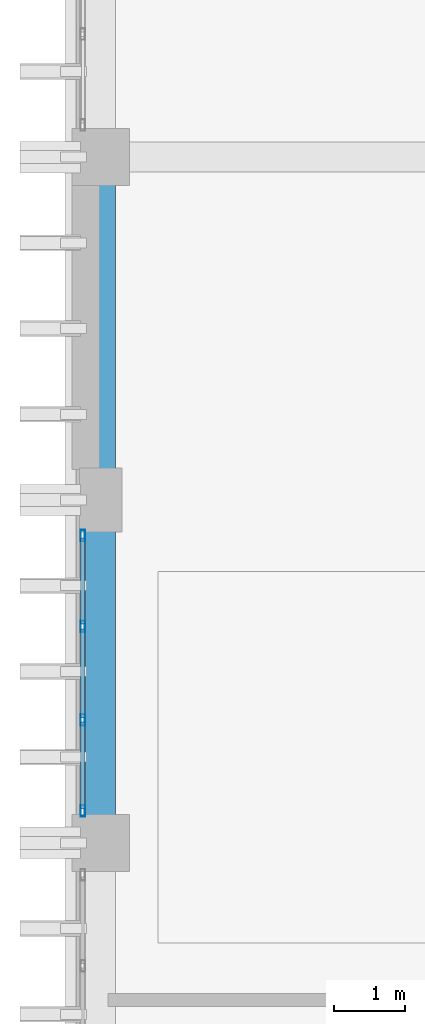
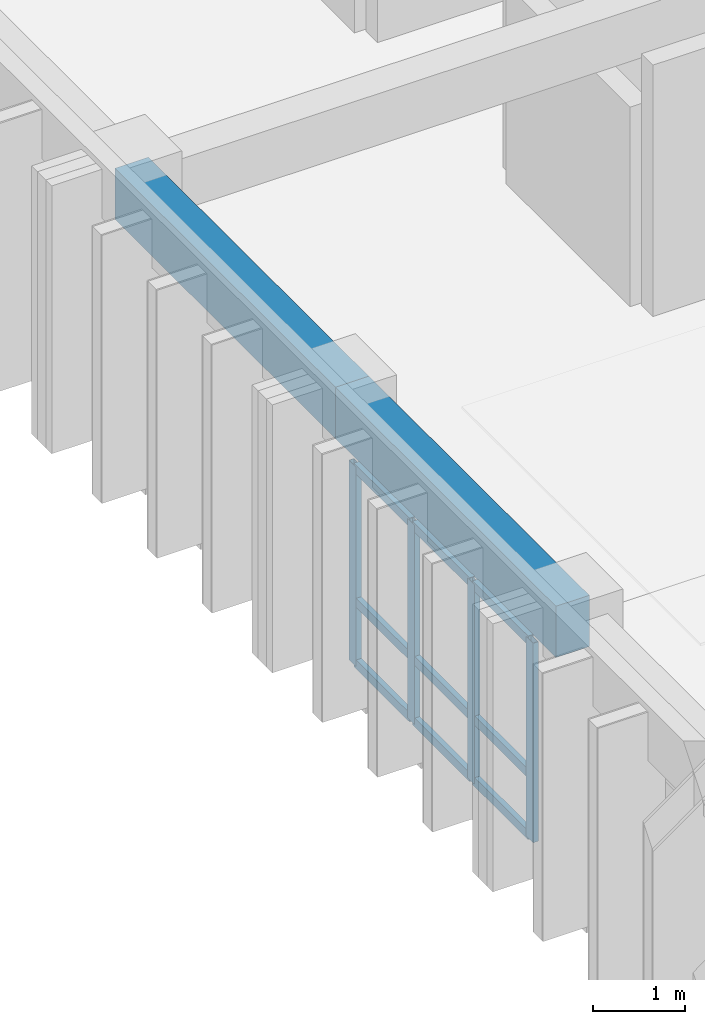
# One storey, part 44 of 82: 13 members, 2 beams, 1 element without a shape of its own.
"""IFC4 building model written with IfcOpenShell, lengths in metres."""

from ifc_helpers import new_model, si_unit, direction, frame, origin, origin_2d, place, context, subcontext, project, spatial, rectangle, hollow_rectangle, extrude, material, layer, layer_set, material_profile, profile_set, type_object, element, aggregate, save


model = new_model("IFC4")

# Units and contexts
model_context = context("Model", 3, precision=1e-05, world=origin(), true_north=direction((0.0, 1.0)))
body_context = subcontext(model_context, "Body", "Model", "MODEL_VIEW")
ifc_project = project(units=[si_unit("LENGTHUNIT", "METRE"), si_unit("AREAUNIT", "SQUARE_METRE"), si_unit("VOLUMEUNIT", "CUBIC_METRE"), si_unit("PLANEANGLEUNIT", "RADIAN"), si_unit("MASSUNIT", "GRAM", prefix="KILO")], contexts=[model_context])

# Site, building, storey
site_placement = place(None, origin())
site = spatial("IfcSite", under=ifc_project, at=site_placement, CompositionType="ELEMENT")
building_placement = place(site_placement, origin())
building = spatial("IfcBuilding", under=site, at=building_placement, Name="Nakhvara Creek Congress Hotel", CompositionType="ELEMENT")
storey_placement = place(building_placement, frame((0.0, 0.0, 21.0)))
storey = spatial("IfcBuildingStorey", under=building, at=storey_placement, Name="L04", CompositionType="ELEMENT", Elevation=21.0)

# Beams
ifc_material_1 = material(Name="Concrete C40/50", Category="concrete")
ifc_material_profile_1 = material_profile(ifc_material_1, rectangle(XDim=0.419921875, YDim=0.679931640625, at=origin_2d()), Name="RC-BM 420x680", Category="LoadBearing")
ifc_profile_set_1 = profile_set([ifc_material_profile_1], Name="Concrete C40/50")
beam_type = type_object("IfcBeamType", Name="BM-RC-420X680", PredefinedType="BEAM", material=ifc_profile_set_1)
beam_1_placement = place(storey_placement, frame((149.449951171875, 105.60009765625, 3.0), z_axis=(0.0, 1.0, 0.0), x_axis=(-1.0, 0.0, 0.0)))
element("IfcBeam", 1, at=beam_1_placement, inside=storey, type_object=beam_type, Name="Beam B11-L04-1935", PredefinedType="BEAM", context=body_context, shape_type="SweptSolid", body=[
    extrude(rectangle(XDim=0.419921875, YDim=0.679931640625, at=origin_2d()), origin(), (0.0, 0.0, 1.0), 4.7998046875),
])
beam_2_placement = place(storey_placement, frame((149.449951171875, 110.39990234375, 3.0), z_axis=(0.0, 1.0, 0.0), x_axis=(-1.0, 0.0, 0.0)))
element("IfcBeam", 2, at=beam_2_placement, inside=storey, type_object=beam_type, Name="Beam B11-L04-1937", PredefinedType="BEAM", context=body_context, shape_type="SweptSolid", body=[
    extrude(rectangle(XDim=0.419921875, YDim=0.679931640625, at=origin_2d()), origin(), (0.0, 0.0, 1.0), 4.800048828125),
])

# Curtain wall, members
ifc_material_2 = material(Name="Bronze-anodised aluminium AW-6063-T6 and double-silver low-E glass", Category="aluminium")
ifc_layer = layer(ifc_material_2, 0.199951171875)
ifc_layer_set = layer_set([ifc_layer], Name="Bronze-anodised aluminium AW-6063-T6 and double-silver low-E glass")
curtain_wall_type = type_object("IfcCurtainWallType", Name="CW-HTL-UNIT", PredefinedType="USERDEFINED", material=ifc_layer_set)
curtain_wall_placement = place(storey_placement, origin())
curtain_wall = element("IfcCurtainWall", 3, at=curtain_wall_placement, inside=storey, type_object=curtain_wall_type, Name="Curtain Wall CW197", ObjectType="UNITISED", PredefinedType="USERDEFINED")
ifc_material_3 = material(Name="Bronze-anodised aluminium AW-6063-T6", Category="aluminium")
ifc_material_profile_2 = material_profile(ifc_material_3, hollow_rectangle(XDim=0.06494140625, YDim=0.159912109375, WallThickness=0.00390625, at=origin_2d()), Name="ALU-MULL 65x160x4", Category="LoadBearing")
ifc_profile_set_2 = profile_set([ifc_material_profile_2], Name="Bronze-anodised aluminium AW-6063-T6")
member_type_1 = type_object("IfcMemberType", Name="CW-MULL-160", PredefinedType="MULLION", material=ifc_profile_set_2)
member_1_placement = place(storey_placement, frame((149.199951171875, 106.047607421875, 0.0), z_axis=(0.0, 0.0, 1.0), x_axis=(-1.0, 0.0, 0.0)))
member_1 = element("IfcMember", 4, at=member_1_placement, type_object=member_type_1, Name="CW197 mullion 1", PredefinedType="MULLION", context=body_context, shape_type="SweptSolid", body=[
    extrude(hollow_rectangle(XDim=0.06494140625, YDim=0.159912109375, WallThickness=0.00390625, at=origin_2d()), origin(), (0.0, 0.0, 1.0), 2.652099609375),
])
member_2_placement = place(storey_placement, frame((149.199951171875, 107.32177734375, 0.0), z_axis=(0.0, 0.0, 1.0), x_axis=(-1.0, 0.0, 0.0)))
member_2 = element("IfcMember", 5, at=member_2_placement, type_object=member_type_1, Name="CW197 mullion 2", PredefinedType="MULLION", context=body_context, shape_type="SweptSolid", body=[
    extrude(hollow_rectangle(XDim=0.06494140625, YDim=0.159912109375, WallThickness=0.00390625, at=origin_2d()), origin(), (0.0, 0.0, 1.0), 2.652099609375),
])
member_3_placement = place(storey_placement, frame((149.199951171875, 108.62841796875, 0.0), z_axis=(0.0, 0.0, 1.0), x_axis=(-1.0, 0.0, 0.0)))
member_3 = element("IfcMember", 6, at=member_3_placement, type_object=member_type_1, Name="CW197 mullion 3", PredefinedType="MULLION", context=body_context, shape_type="SweptSolid", body=[
    extrude(hollow_rectangle(XDim=0.06494140625, YDim=0.159912109375, WallThickness=0.00390625, at=origin_2d()), origin(), (0.0, 0.0, 1.0), 2.652099609375),
])
member_4_placement = place(storey_placement, frame((149.199951171875, 109.902587890625, 0.0), z_axis=(0.0, 0.0, 1.0), x_axis=(-1.0, 0.0, 0.0)))
member_4 = element("IfcMember", 7, at=member_4_placement, type_object=member_type_1, Name="CW197 mullion 4", PredefinedType="MULLION", context=body_context, shape_type="SweptSolid", body=[
    extrude(hollow_rectangle(XDim=0.06494140625, YDim=0.159912109375, WallThickness=0.00390625, at=origin_2d()), origin(), (0.0, 0.0, 1.0), 2.652099609375),
])
ifc_material_profile_3 = material_profile(ifc_material_3, hollow_rectangle(XDim=0.06494140625, YDim=0.1201171875, WallThickness=0.00390625, at=origin_2d()), Name="ALU-TRAN 65x120x4", Category="LoadBearing")
ifc_profile_set_3 = profile_set([ifc_material_profile_3], Name="Bronze-anodised aluminium AW-6063-T6")
member_type_2 = type_object("IfcMemberType", Name="CW-TRAN-120", PredefinedType="USERDEFINED", material=ifc_profile_set_3)
member_5_placement = place(storey_placement, frame((149.199951171875, 106.080078125, 0.032470703125), z_axis=(0.0, 1.0, 0.0), x_axis=(-1.0, 0.0, 0.0)))
member_5 = element("IfcMember", 8, at=member_5_placement, type_object=member_type_2, Name="CW197 transom 1.1", ObjectType="TRANSOM", PredefinedType="USERDEFINED", context=body_context, shape_type="SweptSolid", body=[
    extrude(hollow_rectangle(XDim=0.06494140625, YDim=0.1201171875, WallThickness=0.00390625, at=origin_2d()), origin(), (0.0, 0.0, 1.0), 1.208984375),
])
member_6_placement = place(storey_placement, frame((149.199951171875, 106.080078125, 0.85009765625), z_axis=(0.0, 1.0, 0.0), x_axis=(-1.0, 0.0, 0.0)))
member_6 = element("IfcMember", 9, at=member_6_placement, type_object=member_type_2, Name="CW197 transom 1.2", ObjectType="TRANSOM", PredefinedType="USERDEFINED", context=body_context, shape_type="SweptSolid", body=[
    extrude(hollow_rectangle(XDim=0.06494140625, YDim=0.1201171875, WallThickness=0.00390625, at=origin_2d()), origin(), (0.0, 0.0, 1.0), 1.208984375),
])
member_7_placement = place(storey_placement, frame((149.199951171875, 106.080078125, 2.619384765625), z_axis=(0.0, 1.0, 0.0), x_axis=(-1.0, 0.0, 0.0)))
member_7 = element("IfcMember", 10, at=member_7_placement, type_object=member_type_2, Name="CW197 transom 1.3", ObjectType="TRANSOM", PredefinedType="USERDEFINED", context=body_context, shape_type="SweptSolid", body=[
    extrude(hollow_rectangle(XDim=0.06494140625, YDim=0.1201171875, WallThickness=0.00390625, at=origin_2d()), origin(), (0.0, 0.0, 1.0), 1.208984375),
])
member_8_placement = place(storey_placement, frame((149.199951171875, 107.354248046875, 0.032470703125), z_axis=(0.0, 1.0, 0.0), x_axis=(-1.0, 0.0, 0.0)))
member_8 = element("IfcMember", 11, at=member_8_placement, type_object=member_type_2, Name="CW197 transom 2.1", ObjectType="TRANSOM", PredefinedType="USERDEFINED", context=body_context, shape_type="SweptSolid", body=[
    extrude(hollow_rectangle(XDim=0.06494140625, YDim=0.1201171875, WallThickness=0.00390625, at=origin_2d()), origin(), (0.0, 0.0, 1.0), 1.24169921875),
])
member_9_placement = place(storey_placement, frame((149.199951171875, 107.354248046875, 0.85009765625), z_axis=(0.0, 1.0, 0.0), x_axis=(-1.0, 0.0, 0.0)))
member_9 = element("IfcMember", 12, at=member_9_placement, type_object=member_type_2, Name="CW197 transom 2.2", ObjectType="TRANSOM", PredefinedType="USERDEFINED", context=body_context, shape_type="SweptSolid", body=[
    extrude(hollow_rectangle(XDim=0.06494140625, YDim=0.1201171875, WallThickness=0.00390625, at=origin_2d()), origin(), (0.0, 0.0, 1.0), 1.24169921875),
])
member_10_placement = place(storey_placement, frame((149.199951171875, 107.354248046875, 2.619384765625), z_axis=(0.0, 1.0, 0.0), x_axis=(-1.0, 0.0, 0.0)))
member_10 = element("IfcMember", 13, at=member_10_placement, type_object=member_type_2, Name="CW197 transom 2.3", ObjectType="TRANSOM", PredefinedType="USERDEFINED", context=body_context, shape_type="SweptSolid", body=[
    extrude(hollow_rectangle(XDim=0.06494140625, YDim=0.1201171875, WallThickness=0.00390625, at=origin_2d()), origin(), (0.0, 0.0, 1.0), 1.24169921875),
])
member_11_placement = place(storey_placement, frame((149.199951171875, 108.660888671875, 0.032470703125), z_axis=(0.0, 1.0, 0.0), x_axis=(-1.0, 0.0, 0.0)))
member_11 = element("IfcMember", 14, at=member_11_placement, type_object=member_type_2, Name="CW197 transom 3.1", ObjectType="TRANSOM", PredefinedType="USERDEFINED", context=body_context, shape_type="SweptSolid", body=[
    extrude(hollow_rectangle(XDim=0.06494140625, YDim=0.1201171875, WallThickness=0.00390625, at=origin_2d()), origin(), (0.0, 0.0, 1.0), 1.209228515625),
])
member_12_placement = place(storey_placement, frame((149.199951171875, 108.660888671875, 0.85009765625), z_axis=(0.0, 1.0, 0.0), x_axis=(-1.0, 0.0, 0.0)))
member_12 = element("IfcMember", 15, at=member_12_placement, type_object=member_type_2, Name="CW197 transom 3.2", ObjectType="TRANSOM", PredefinedType="USERDEFINED", context=body_context, shape_type="SweptSolid", body=[
    extrude(hollow_rectangle(XDim=0.06494140625, YDim=0.1201171875, WallThickness=0.00390625, at=origin_2d()), origin(), (0.0, 0.0, 1.0), 1.209228515625),
])
member_13_placement = place(storey_placement, frame((149.199951171875, 108.660888671875, 2.619384765625), z_axis=(0.0, 1.0, 0.0), x_axis=(-1.0, 0.0, 0.0)))
member_13 = element("IfcMember", 16, at=member_13_placement, type_object=member_type_2, Name="CW197 transom 3.3", ObjectType="TRANSOM", PredefinedType="USERDEFINED", context=body_context, shape_type="SweptSolid", body=[
    extrude(hollow_rectangle(XDim=0.06494140625, YDim=0.1201171875, WallThickness=0.00390625, at=origin_2d()), origin(), (0.0, 0.0, 1.0), 1.209228515625),
])
aggregate(curtain_wall, [member_1, member_2, member_3, member_4, member_5, member_6, member_7, member_8, member_9, member_10, member_11, member_12, member_13])

save(model, "model.ifc")
